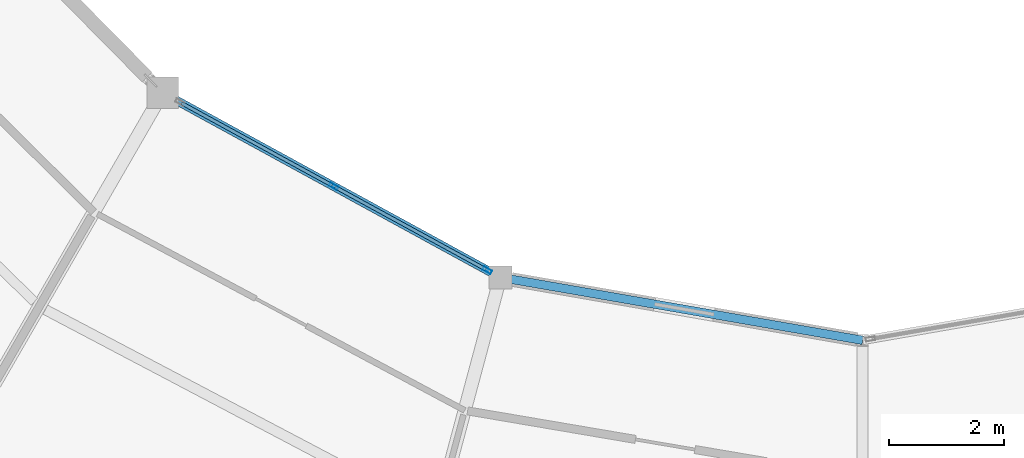
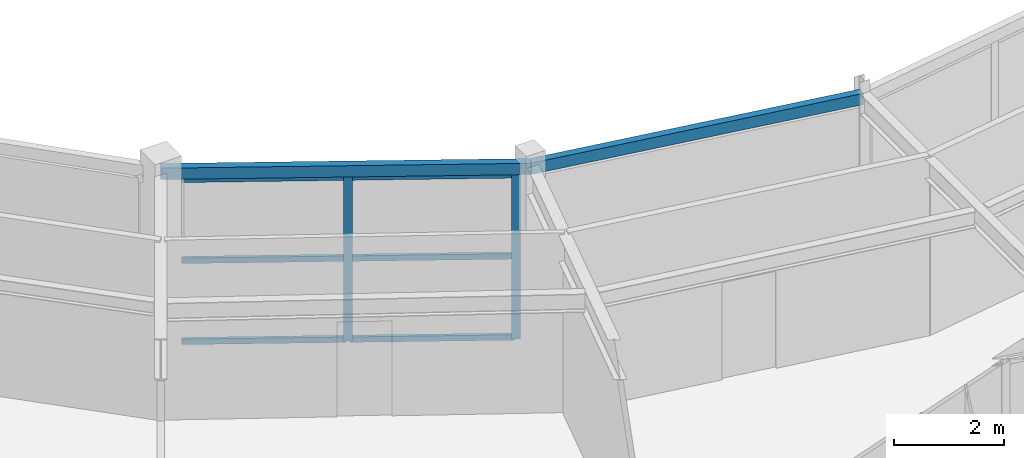
# One storey, part 38 of 157: 8 members, 2 beams, 1 element without a shape of its own.
"""IFC4 building model written with IfcOpenShell, lengths in metres."""

import ifcopenshell
import ifcopenshell.guid

model = None  # the IFC model being written
_history = None  # IfcOwnerHistory: only IFC2X3 demands one
_inside = {}  # id of a spatial element -> (the spatial element, [elements in it])
_under = {}  # id of a project, library or spatial element -> (it, [spatial elements below it])
_declared = {}  # id of a project -> (the project, [libraries it declares])
_typed = {}  # id of a type object -> (the type object, [elements of that type])
_made_of = {}  # id of a material, layer set ... -> (it, [elements and type objects made of it])


def new_model(schema):
    """Start an empty IFC model of exactly this schema.

    Asked for "IFC4X3", IfcOpenShell would pick the latest addendum, in which some entities
    have other attributes; the version numbers below select the first issue.
    IFC2X3 requires an IfcOwnerHistory on every rooted entity: one is made here for all.
    """
    global model, _history
    if schema == "IFC4X3":
        model = ifcopenshell.file(schema_version=(4, 3, 0, 0))
    else:
        model = ifcopenshell.file(schema=schema)
    _inside.clear()
    _under.clear()
    _declared.clear()
    _typed.clear()
    _made_of.clear()
    _history = None
    if model.schema == "IFC2X3":
        org = make("IfcOrganization", Name="unknown")
        user = make(
            "IfcPersonAndOrganization",
            ThePerson=make("IfcPerson", FamilyName="unknown"),
            TheOrganization=org,
        )
        app = make(
            "IfcApplication",
            ApplicationDeveloper=org,
            Version="unknown",
            ApplicationFullName="unknown",
            ApplicationIdentifier="unknown",
        )
        _history = make(
            "IfcOwnerHistory",
            OwningUser=user,
            OwningApplication=app,
            ChangeAction="ADDED",
            CreationDate=0,
        )
    return model


def make(cls, **values):
    """One entity of the class cls with the attributes given. An attribute that is None is left unset."""
    return model.create_entity(
        cls, **{name: value for name, value in values.items() if value is not None}
    )


def rooted(cls, **values):
    """An entity with a GlobalId (a new one), such as an element, a storey or a relation."""
    return make(cls, GlobalId=ifcopenshell.guid.new(), OwnerHistory=_history, **values)


def si_unit(unit_type, name, prefix=None):
    """IfcSIUnit, for example si_unit("LENGTHUNIT", "METRE", prefix="MILLI")."""
    return make("IfcSIUnit", UnitType=unit_type, Prefix=prefix, Name=name)


def assignment(units):
    """IfcUnitAssignment: the units of a project."""
    return None if units is None else make("IfcUnitAssignment", Units=units)


def point(xyz):
    """IfcCartesianPoint."""
    return None if xyz is None else make("IfcCartesianPoint", Coordinates=xyz)


def direction(xyz):
    """IfcDirection."""
    return None if xyz is None else make("IfcDirection", DirectionRatios=xyz)


def frame(location, z_axis=None, x_axis=None):
    """IfcAxis2Placement3D, a coordinate frame: its origin and axes. An axis left out is left unset."""
    return make(
        "IfcAxis2Placement3D",
        Location=point(location),
        Axis=direction(z_axis),
        RefDirection=direction(x_axis),
    )


def frame_2d(location, x_axis=None):
    """IfcAxis2Placement2D, a coordinate frame in the plane: its origin and x axis."""
    return make(
        "IfcAxis2Placement2D", Location=point(location), RefDirection=direction(x_axis)
    )


def origin():
    """The frame at (0, 0, 0) with its axes left unset."""
    return frame((0.0, 0.0, 0.0))


def origin_2d():
    """The frame at (0, 0) in the plane with its x axis left unset."""
    return frame_2d((0.0, 0.0))


def place(relative_to, where):
    """IfcLocalPlacement: puts the frame where relative to a parent placement (None: the world)."""
    return make(
        "IfcLocalPlacement", PlacementRelTo=relative_to, RelativePlacement=where
    )


def context(
    kind, dimensions, precision=None, world=None, true_north=None, identifier=None
):
    """IfcGeometricRepresentationContext, for example the 3D "Model" context."""
    return make(
        "IfcGeometricRepresentationContext",
        ContextIdentifier=identifier,
        ContextType=kind,
        CoordinateSpaceDimension=dimensions,
        Precision=precision,
        WorldCoordinateSystem=world,
        TrueNorth=true_north,
    )


def subcontext(parent, identifier, kind, view, scale=None):
    """IfcGeometricRepresentationSubContext, for example "Body" below "Model"."""
    return make(
        "IfcGeometricRepresentationSubContext",
        ContextIdentifier=identifier,
        ContextType=kind,
        ParentContext=parent,
        TargetScale=scale,
        TargetView=view,
    )


def project(units=None, contexts=None):
    """IfcProject with its units and contexts."""
    return rooted(
        "IfcProject",
        Name="project",
        RepresentationContexts=contexts,
        UnitsInContext=assignment(units),
    )


def spatial(cls, under=None, at=None, **own):
    """A site, building, storey or space (cls), placed at a placement, below another one or the project."""
    s = rooted(cls, ObjectPlacement=at, **own)
    if under is not None:
        _under.setdefault(under.id(), (under, []))[1].append(s)
    return s


def profile(cls, at=None, kind="AREA", **sizes):
    """A parametric profile (cls). Its sizes go by their IFC names, for example OverallWidth=200.0."""
    return make(cls, ProfileType=kind, Position=at, **sizes)


def hollow_rectangle(**sizes):
    """IfcRectangleHollowProfileDef."""
    return profile("IfcRectangleHollowProfileDef", **sizes)


def extrude(swept, where, along, depth):
    """IfcExtrudedAreaSolid: the profile swept, set in the frame where, extruded along a direction by depth."""
    return make(
        "IfcExtrudedAreaSolid",
        SweptArea=swept,
        Position=where,
        ExtrudedDirection=direction(along),
        Depth=depth,
    )


def shape(context_of_items, identifier, shape_type, items):
    """IfcShapeRepresentation: the items that make up one representation, for example the "Body"."""
    return make(
        "IfcShapeRepresentation",
        ContextOfItems=context_of_items,
        RepresentationIdentifier=identifier,
        RepresentationType=shape_type,
        Items=items,
    )


def material(Name=None, Category=None):
    """IfcMaterial."""
    return make("IfcMaterial", Name=Name, Category=Category)


def material_profile(
    of_material, cross_section, Name=None, Category=None, Priority=None
):
    """IfcMaterialProfile: a cross section and its material."""
    return make(
        "IfcMaterialProfile",
        Name=Name,
        Material=of_material,
        Profile=cross_section,
        Priority=Priority,
        Category=Category,
    )


def profile_set(profiles, Name=None, composite=None):
    """IfcMaterialProfileSet."""
    return make(
        "IfcMaterialProfileSet",
        Name=Name,
        MaterialProfiles=profiles,
        CompositeProfile=composite,
    )


def made_of(thing, what):
    """Note that an element or type object is made of a material, layer set ...; save() writes the relation."""
    if what is not None:
        _made_of.setdefault(what.id(), (what, []))[1].append(thing)
    return thing


def type_object(cls, material=None, **own):
    """A type object (cls), such as IfcWallType, which elements share."""
    return made_of(rooted(cls, **own), material)


def element(
    cls,
    number,
    at=None,
    inside=None,
    cuts=None,
    type_object=None,
    material=None,
    context=None,
    identifier="Body",
    shape_type=None,
    held_by="IfcProductDefinitionShape",
    body=None,
    shapes=None,
    **own,
):
    """One element of the class cls, such as IfcWall. Its Tag is "e" and its number.

    at: its placement. inside: the storey or other place that contains it. cuts: it is an
    opening in that element (IfcRelVoidsElement). A single representation is given by context,
    identifier, shape_type and body (its items); several are given by shapes. held_by: the class
    of the entity that holds the representations. save() writes the other relations.
    """
    e = rooted(cls, Tag="e%d" % number, ObjectPlacement=at, **own)
    if body is not None:
        shapes = [shape(context, identifier, shape_type, body)]
    if shapes is not None:
        e.Representation = make(held_by, Representations=shapes)
    if inside is not None:
        _inside.setdefault(inside.id(), (inside, []))[1].append(e)
    if cuts is not None:
        rooted(
            "IfcRelVoidsElement", RelatingBuildingElement=cuts, RelatedOpeningElement=e
        )
    if type_object is not None:
        _typed.setdefault(type_object.id(), (type_object, []))[1].append(e)
    return made_of(e, material)


def aggregate(whole, parts):
    """IfcRelAggregates: a whole, such as a stair, and the parts it consists of."""
    return rooted("IfcRelAggregates", RelatingObject=whole, RelatedObjects=parts)


def save(model, path):
    """Write the relations noted so far, then the file.

    IfcRelAggregates (storeys below a building ...), IfcRelContainedInSpatialStructure (elements
    in a storey), IfcRelDefinesByType, IfcRelAssociatesMaterial and IfcRelDeclares: one each for
    every whole, place, type object, material and project.
    """
    for whole, parts in _under.values():
        aggregate(whole, parts)
    for where, things in _inside.values():
        rooted(
            "IfcRelContainedInSpatialStructure",
            RelatedElements=things,
            RelatingStructure=where,
        )
    for kind, things in _typed.values():
        rooted("IfcRelDefinesByType", RelatedObjects=things, RelatingType=kind)
    for what, things in _made_of.values():
        rooted("IfcRelAssociatesMaterial", RelatedObjects=things, RelatingMaterial=what)
    for by, libraries in _declared.values():
        rooted("IfcRelDeclares", RelatingContext=by, RelatedDefinitions=libraries)
    model.write(path)


model = new_model("IFC4")

# Units and contexts
model_context = context("Model", 3, precision=1e-05, world=origin(), true_north=direction((0.0, 1.0)))
body_context = subcontext(model_context, "Body", "Model", "MODEL_VIEW")
ifc_project = project(units=[si_unit("LENGTHUNIT", "METRE"), si_unit("AREAUNIT", "SQUARE_METRE"), si_unit("VOLUMEUNIT", "CUBIC_METRE"), si_unit("PLANEANGLEUNIT", "RADIAN"), si_unit("MASSUNIT", "GRAM", prefix="KILO")], contexts=[model_context])

# Site, building, storey
site_placement = place(None, origin())
site = spatial("IfcSite", under=ifc_project, at=site_placement, CompositionType="ELEMENT")
building_placement = place(site_placement, origin())
building = spatial("IfcBuilding", under=site, at=building_placement, Name="Karori Crest Natural Sciences Institute", CompositionType="ELEMENT")
storey_placement = place(building_placement, frame((0.0, 0.0, 13.300048828125)))
storey = spatial("IfcBuildingStorey", under=building, at=storey_placement, Name="L03", CompositionType="ELEMENT", Elevation=13.300048828125)

# Beams
ifc_material_1 = material(Name="Hollow structural steel AS/NZS 1163 Grade C350", Category="steel")
ifc_material_profile_1 = material_profile(ifc_material_1, hollow_rectangle(XDim=0.14990234375, YDim=0.25, WallThickness=0.009033203125, at=origin_2d()), Name="RHS250x150x9")
ifc_profile_set_1 = profile_set([ifc_material_profile_1], Name="Hollow structural steel AS/NZS 1163 Grade C350")
beam_type = type_object("IfcBeamType", Name="BT-16", PredefinedType="SPANDREL", material=ifc_profile_set_1)
beam_1_placement = place(storey_placement, frame((54.199951171875, 22.013916015625, 3.7900390625), z_axis=(0.877461157042, -0.479647701842, 0.0), x_axis=(0.479647701842, 0.877461157042, 0.0)))
element("IfcBeam", 1, at=beam_1_placement, inside=storey, type_object=beam_type, Name="Beam B-0421", PredefinedType="SPANDREL", context=body_context, shape_type="SweptSolid", body=[
    extrude(hollow_rectangle(XDim=0.14990234375, YDim=0.25, WallThickness=0.009033203125, at=origin_2d()), origin(), (0.0, 0.0, 1.0), 6.70654296875),
])
beam_2_placement = place(storey_placement, frame((60.084716796875, 18.797119140625, 3.7900390625), z_axis=(0.985241372425, -0.17117078624, 0.0), x_axis=(0.17117078624, 0.985241372425, 0.0)))
element("IfcBeam", 2, at=beam_2_placement, inside=storey, type_object=beam_type, Name="Beam B-0425", PredefinedType="SPANDREL", context=body_context, shape_type="SweptSolid", body=[
    extrude(hollow_rectangle(XDim=0.14990234375, YDim=0.25, WallThickness=0.009033203125, at=origin_2d()), origin(), (0.0, 0.0, 1.0), 6.40966796875),
])

# Curtain wall, members
ifc_material_2 = material(Name="Anodised architectural aluminium 6063-T6", Category="aluminium")
curtain_wall_type = type_object("IfcCurtainWallType", Name="CWT-12", PredefinedType="NOTDEFINED", material=ifc_material_2)
curtain_wall_placement = place(storey_placement, origin())
curtain_wall = element("IfcCurtainWall", 3, at=curtain_wall_placement, inside=storey, type_object=curtain_wall_type, Name="Curtain wall CW-0125", PredefinedType="NOTDEFINED")
ifc_material_profile_2 = material_profile(ifc_material_2, hollow_rectangle(XDim=0.06494140625, YDim=0.159912109375, WallThickness=0.00390625, at=origin_2d()), Name="CWM160x65x4")
ifc_profile_set_2 = profile_set([ifc_material_profile_2], Name="Anodised architectural aluminium 6063-T6")
member_type_1 = type_object("IfcMemberType", Name="CWM-01", PredefinedType="MULLION", material=ifc_profile_set_2)
member_1_placement = place(storey_placement, frame((57.179931640625, 20.385009765625, 0.0), z_axis=(0.0, 0.0, 1.0), x_axis=(0.479631017431, 0.877470277057, 0.0)))
member_1 = element("IfcMember", 4, at=member_1_placement, type_object=member_type_1, Name="CW-0125 mullion 2", PredefinedType="MULLION", context=body_context, shape_type="SweptSolid", body=[
    extrude(hollow_rectangle(XDim=0.06494140625, YDim=0.159912109375, WallThickness=0.00390625, at=origin_2d()), origin(), (0.0, 0.0, 1.0), 3.64990234375),
])
member_2_placement = place(storey_placement, frame((59.858154296875, 18.921142578125, 0.0), z_axis=(0.0, 0.0, 1.0), x_axis=(0.479631017431, 0.877470277057, 0.0)))
member_2 = element("IfcMember", 5, at=member_2_placement, type_object=member_type_1, Name="CW-0125 mullion 3", PredefinedType="MULLION", context=body_context, shape_type="SweptSolid", body=[
    extrude(hollow_rectangle(XDim=0.06494140625, YDim=0.159912109375, WallThickness=0.00390625, at=origin_2d()), origin(), (0.0, 0.0, 1.0), 3.64990234375),
])
ifc_material_profile_3 = material_profile(ifc_material_2, hollow_rectangle(XDim=0.06005859375, YDim=0.1201171875, WallThickness=0.00390625, at=origin_2d()), Name="CWT120x60x4")
ifc_profile_set_3 = profile_set([ifc_material_profile_3], Name="Anodised architectural aluminium 6063-T6")
member_type_2 = type_object("IfcMemberType", Name="CWT-TR1", PredefinedType="USERDEFINED", material=ifc_profile_set_3)
member_3_placement = place(storey_placement, frame((54.5302734375, 21.83349609375, 0.030029296875), z_axis=(0.877448541585, -0.479670779672, 0.0), x_axis=(0.479670779672, 0.877448541585, 0.0)))
member_3 = element("IfcMember", 6, at=member_3_placement, type_object=member_type_2, Name="CW-0125 transom 1.1", ObjectType="TRANSOM", PredefinedType="USERDEFINED", context=body_context, shape_type="SweptSolid", body=[
    extrude(hollow_rectangle(XDim=0.06005859375, YDim=0.1201171875, WallThickness=0.00390625, at=origin_2d()), origin(), (0.0, 0.0, 1.0), 2.987060546875),
])
member_4_placement = place(storey_placement, frame((54.5302734375, 21.83349609375, 1.824951171875), z_axis=(0.877448541585, -0.479670779672, 0.0), x_axis=(0.479670779672, 0.877448541585, 0.0)))
member_4 = element("IfcMember", 7, at=member_4_placement, type_object=member_type_2, Name="CW-0125 transom 1.2", ObjectType="TRANSOM", PredefinedType="USERDEFINED", context=body_context, shape_type="SweptSolid", body=[
    extrude(hollow_rectangle(XDim=0.06005859375, YDim=0.1201171875, WallThickness=0.00390625, at=origin_2d()), origin(), (0.0, 0.0, 1.0), 2.987060546875),
])
member_5_placement = place(storey_placement, frame((54.5302734375, 21.83349609375, 3.619873046875), z_axis=(0.877448541585, -0.479670779672, 0.0), x_axis=(0.479670779672, 0.877448541585, 0.0)))
member_5 = element("IfcMember", 8, at=member_5_placement, type_object=member_type_2, Name="CW-0125 transom 1.3", ObjectType="TRANSOM", PredefinedType="USERDEFINED", context=body_context, shape_type="SweptSolid", body=[
    extrude(hollow_rectangle(XDim=0.06005859375, YDim=0.1201171875, WallThickness=0.00390625, at=origin_2d()), origin(), (0.0, 0.0, 1.0), 2.987060546875),
])
member_6_placement = place(storey_placement, frame((57.20849609375, 20.36962890625, 0.030029296875), z_axis=(0.877448541585, -0.479670779672, 0.0), x_axis=(0.479670779672, 0.877448541585, 0.0)))
member_6 = element("IfcMember", 9, at=member_6_placement, type_object=member_type_2, Name="CW-0125 transom 2.1", ObjectType="TRANSOM", PredefinedType="USERDEFINED", context=body_context, shape_type="SweptSolid", body=[
    extrude(hollow_rectangle(XDim=0.06005859375, YDim=0.1201171875, WallThickness=0.00390625, at=origin_2d()), origin(), (0.0, 0.0, 1.0), 2.987060546875),
])
member_7_placement = place(storey_placement, frame((57.20849609375, 20.36962890625, 1.824951171875), z_axis=(0.877448541585, -0.479670779672, 0.0), x_axis=(0.479670779672, 0.877448541585, 0.0)))
member_7 = element("IfcMember", 10, at=member_7_placement, type_object=member_type_2, Name="CW-0125 transom 2.2", ObjectType="TRANSOM", PredefinedType="USERDEFINED", context=body_context, shape_type="SweptSolid", body=[
    extrude(hollow_rectangle(XDim=0.06005859375, YDim=0.1201171875, WallThickness=0.00390625, at=origin_2d()), origin(), (0.0, 0.0, 1.0), 2.987060546875),
])
member_8_placement = place(storey_placement, frame((57.20849609375, 20.36962890625, 3.619873046875), z_axis=(0.877448541585, -0.479670779672, 0.0), x_axis=(0.479670779672, 0.877448541585, 0.0)))
member_8 = element("IfcMember", 11, at=member_8_placement, type_object=member_type_2, Name="CW-0125 transom 2.3", ObjectType="TRANSOM", PredefinedType="USERDEFINED", context=body_context, shape_type="SweptSolid", body=[
    extrude(hollow_rectangle(XDim=0.06005859375, YDim=0.1201171875, WallThickness=0.00390625, at=origin_2d()), origin(), (0.0, 0.0, 1.0), 2.987060546875),
])
aggregate(curtain_wall, [member_1, member_2, member_3, member_4, member_5, member_6, member_7, member_8])

save(model, "model.ifc")
